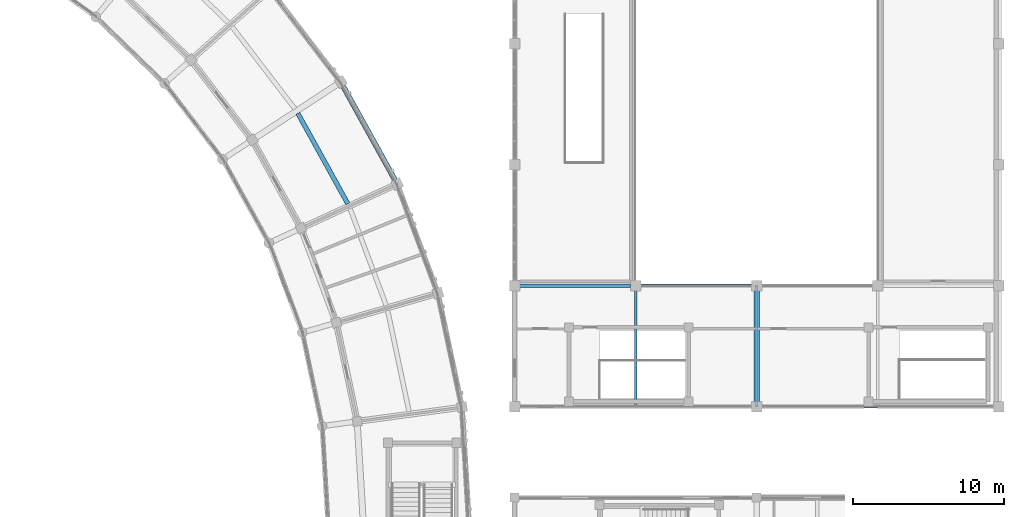
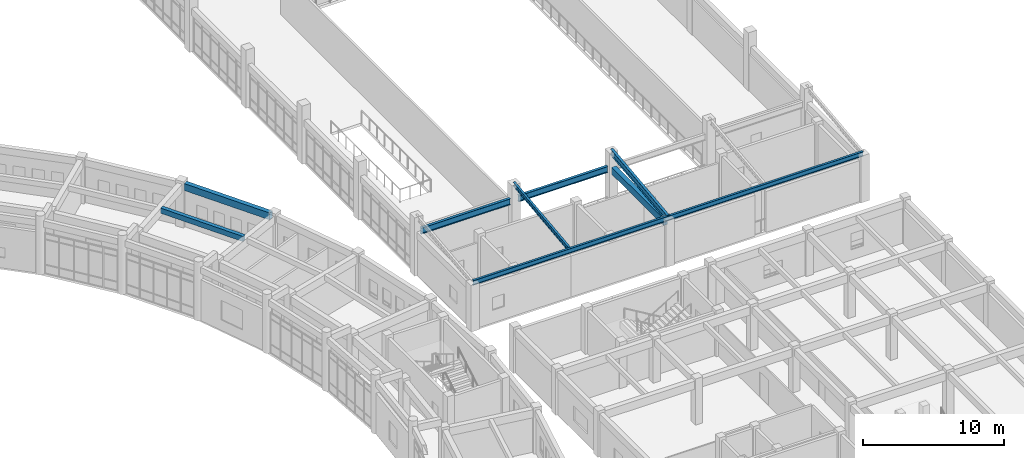
# One storey, part 92 of 159: 5 beams, 3 members.
"""IFC4 building model written with IfcOpenShell, lengths in metres."""

from ifc_helpers import new_model, si_unit, direction, frame, origin, origin_2d, place, context, subcontext, project, spatial, rectangle, i_section, extrude, material, material_profile, profile_set, type_object, element, save


model = new_model("IFC4")

# Units and contexts
model_context = context("Model", 3, precision=1e-05, world=origin(), true_north=direction((0.0, 1.0)))
body_context = subcontext(model_context, "Body", "Model", "MODEL_VIEW")
ifc_project = project(units=[si_unit("LENGTHUNIT", "METRE"), si_unit("AREAUNIT", "SQUARE_METRE"), si_unit("VOLUMEUNIT", "CUBIC_METRE"), si_unit("PLANEANGLEUNIT", "RADIAN"), si_unit("MASSUNIT", "GRAM", prefix="KILO")], contexts=[model_context])

# Site, building, storey
site_placement = place(None, origin())
site = spatial("IfcSite", under=ifc_project, at=site_placement, CompositionType="ELEMENT")
building_placement = place(site_placement, origin())
building = spatial("IfcBuilding", under=site, at=building_placement, Name="Celadon Cloister-Ring School", CompositionType="ELEMENT")
storey_placement = place(building_placement, frame((0.0, 0.0, 4.5)))
storey = spatial("IfcBuildingStorey", under=building, at=storey_placement, Name="L01", CompositionType="ELEMENT", Elevation=4.5)

# Beams
ifc_material_1 = material(Name="Concrete C35/45", Category="concrete")
ifc_material_profile_1 = material_profile(ifc_material_1, rectangle(XDim=0.35009765625, YDim=0.60009765625, at=origin_2d()), Name="RC350X600")
ifc_profile_set_1 = profile_set([ifc_material_profile_1], Name="Concrete C35/45")
beam_type_1 = type_object("IfcBeamType", Name="BT-02", PredefinedType="BEAM", material=ifc_profile_set_1)
beam_1_placement = place(storey_placement, frame((158.0, 66.324951171875, 3.47998046875), z_axis=(0.0, 1.0, 0.0), x_axis=(-1.0, 0.0, 0.0)))
element("IfcBeam", 1, at=beam_1_placement, inside=storey, type_object=beam_type_1, Name="Beam 1174", PredefinedType="BEAM", context=body_context, shape_type="SweptSolid", body=[
    extrude(rectangle(XDim=0.35009765625, YDim=0.60009765625, at=origin_2d()), origin(), (0.0, 0.0, 1.0), 7.35009765625),
])
ifc_material_2 = material(Name="Structural steel S355JR", Category="steel")
ifc_material_profile_2 = material_profile(ifc_material_2, i_section(OverallWidth=0.208984375, OverallDepth=0.532958984375, WebThickness=0.01025390625, FlangeThickness=0.015625, at=origin_2d()), Name="W530X92")
ifc_profile_set_2 = profile_set([ifc_material_profile_2], Name="Structural steel S355JR")
beam_type_2 = type_object("IfcBeamType", Name="GT-06", PredefinedType="USERDEFINED", material=ifc_profile_set_2)
for number, where, z_axis, x_axis, name in (
    (2, (142.324951171875, 74.0, 3.512939453125), (1.0, 0.0, 0.0), (0.0, 1.0, 0.0), "Beam 1160"),
    (3, (150.324951171875, 74.0, 3.512939453125), (1.0, 0.0, 0.0), (0.0, 1.0, 0.0), "Beam 1161"),
):
    element("IfcBeam", number, at=place(storey_placement, frame(where, z_axis=z_axis, x_axis=x_axis)), inside=storey, type_object=beam_type_2, Name=name, ObjectType="GIRDER", PredefinedType="USERDEFINED", context=body_context, shape_type="SweptSolid", body=[
        extrude(i_section(OverallWidth=0.208984375, OverallDepth=0.532958984375, WebThickness=0.01025390625, FlangeThickness=0.015625, at=origin_2d()), origin(), (0.0, 0.0, 1.0), 7.35009765625),
    ])
ifc_material_3 = material(Name="Concrete C35/45", Category="concrete")
ifc_material_profile_3 = material_profile(ifc_material_3, rectangle(XDim=0.300048828125, YDim=0.449951171875, at=origin_2d()), Name="RC300X450")
ifc_profile_set_3 = profile_set([ifc_material_profile_3], Name="Concrete C35/45")
beam_type_3 = type_object("IfcBeamType", Name="JT-01", PredefinedType="JOIST", material=ifc_profile_set_3)
beam_2_placement = place(storey_placement, frame((130.97900390625, 79.416015625, 3.554931640625), z_axis=(-0.483807076249, 0.875174675692, 0.0), x_axis=(-0.875174675692, -0.483807076249, 0.0)))
element("IfcBeam", 4, at=beam_2_placement, inside=storey, type_object=beam_type_3, Name="Beam 0384", PredefinedType="JOIST", context=body_context, shape_type="SweptSolid", body=[
    extrude(rectangle(XDim=0.300048828125, YDim=0.449951171875, at=origin_2d()), origin(), (0.0, 0.0, 1.0), 6.835205078125),
])

# Members
ifc_material_4 = material(Name="Structural steel S355JR", Category="steel")
ifc_material_profile_4 = material_profile(ifc_material_4, i_section(OverallWidth=0.177978515625, OverallDepth=0.406982421875, WebThickness=0.0078125, FlangeThickness=0.0126953125, at=origin_2d()), Name="W410X60")
ifc_profile_set_4 = profile_set([ifc_material_profile_4], Name="Structural steel S355JR")
member_type_1 = type_object("IfcMemberType", Name="MC-05", PredefinedType="CHORD", material=ifc_profile_set_4)
member_1_placement = place(storey_placement, frame((142.0, 66.0, 3.97998046875), z_axis=(1.0, 0.0, 0.0), x_axis=(0.0, 1.0, 0.0)))
element("IfcMember", 5, at=member_1_placement, inside=storey, type_object=member_type_1, Name="Structural Member 0582", PredefinedType="CHORD", context=body_context, shape_type="SweptSolid", body=[
    extrude(i_section(OverallWidth=0.177978515625, OverallDepth=0.406982421875, WebThickness=0.0078125, FlangeThickness=0.0126953125, at=origin_2d()), origin(), (0.0, 0.0, 1.0), 32.0),
])
ifc_material_5 = material(Name="Structural steel S355JR", Category="steel")
ifc_material_profile_5 = material_profile(ifc_material_5, i_section(OverallWidth=0.208984375, OverallDepth=0.529052734375, WebThickness=0.009765625, FlangeThickness=0.01318359375, at=origin_2d()), Name="W530X74")
ifc_profile_set_5 = profile_set([ifc_material_profile_5], Name="Structural steel S355JR")
member_type_2 = type_object("IfcMemberType", Name="MR-01", PredefinedType="RAFTER", material=ifc_profile_set_5)
member_2_placement = place(storey_placement, frame((158.0, 66.0, 3.97998046875), z_axis=(0.0, 0.993453474255, 0.114237447845), x_axis=(-1.0, 0.0, 0.0)))
element("IfcMember", 6, at=member_2_placement, inside=storey, type_object=member_type_2, Name="Structural Member 0585", PredefinedType="RAFTER", context=body_context, shape_type="SweptSolid", body=[
    extrude(i_section(OverallWidth=0.208984375, OverallDepth=0.529052734375, WebThickness=0.009765625, FlangeThickness=0.01318359375, at=origin_2d()), origin(), (0.0, 0.0, 1.0), 8.052734375),
])
ifc_material_6 = material(Name="Structural steel S355JR", Category="steel")
ifc_material_profile_6 = material_profile(ifc_material_6, i_section(OverallWidth=0.1708984375, OverallDepth=0.35498046875, WebThickness=0.007080078125, FlangeThickness=0.01171875, at=origin_2d()), Name="W360X51")
ifc_profile_set_6 = profile_set([ifc_material_profile_6], Name="Structural steel S355JR")
member_type_3 = type_object("IfcMemberType", Name="MR-05", PredefinedType="RAFTER", material=ifc_profile_set_6)
member_3_placement = place(storey_placement, frame((150.0, 66.0, 3.97998046875), z_axis=(0.0, 0.993453474255, 0.114237447845), x_axis=(-1.0, 0.0, 0.0)))
element("IfcMember", 7, at=member_3_placement, inside=storey, type_object=member_type_3, Name="Structural Member 0584", PredefinedType="RAFTER", context=body_context, shape_type="SweptSolid", body=[
    extrude(i_section(OverallWidth=0.1708984375, OverallDepth=0.35498046875, WebThickness=0.007080078125, FlangeThickness=0.01171875, at=origin_2d()), origin(), (0.0, 0.0, 1.0), 8.052734375),
])

# Beam
ifc_material_7 = material(Name="Concrete C35/45", Category="concrete")
ifc_material_profile_7 = material_profile(ifc_material_7, rectangle(XDim=0.35009765625, YDim=0.60009765625, at=origin_2d()), Name="RC350X600")
ifc_profile_set_7 = profile_set([ifc_material_profile_7], Name="Concrete C35/45")
beam_type_4 = type_object("IfcBeamType", Name="SP-01", PredefinedType="SPANDREL", material=ifc_profile_set_7)
beam_3_placement = place(storey_placement, frame((134.09912109375, 80.989013671875, 3.47998046875), z_axis=(-0.484072024613, 0.875028156683, 0.0), x_axis=(-0.875028156683, -0.484072024613, 0.0)))
element("IfcBeam", 8, at=beam_3_placement, inside=storey, type_object=beam_type_4, Name="Beam 0381", PredefinedType="SPANDREL", context=body_context, shape_type="SweptSolid", body=[
    extrude(rectangle(XDim=0.35009765625, YDim=0.60009765625, at=origin_2d()), origin(), (0.0, 0.0, 1.0), 7.102783203125),
])

save(model, "model.ifc")
